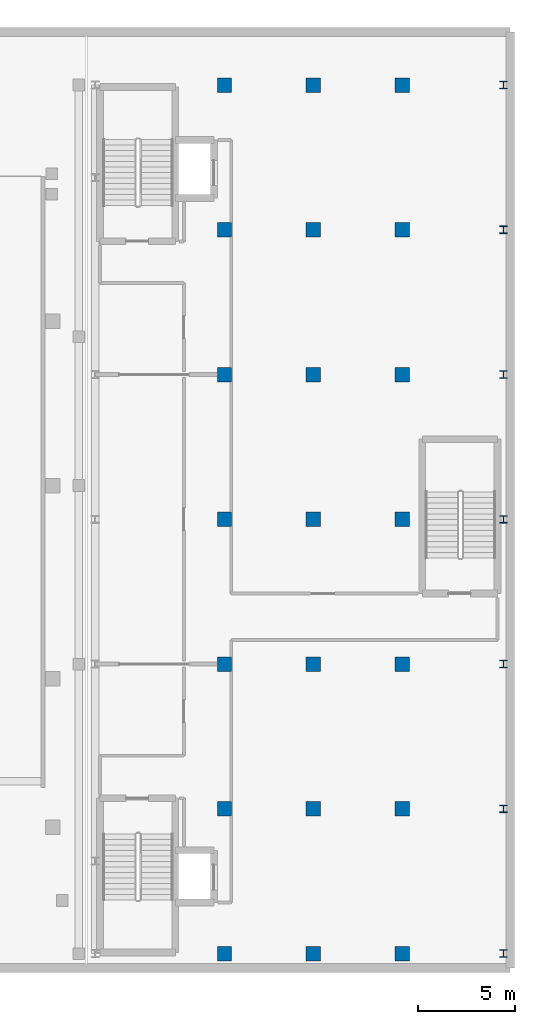
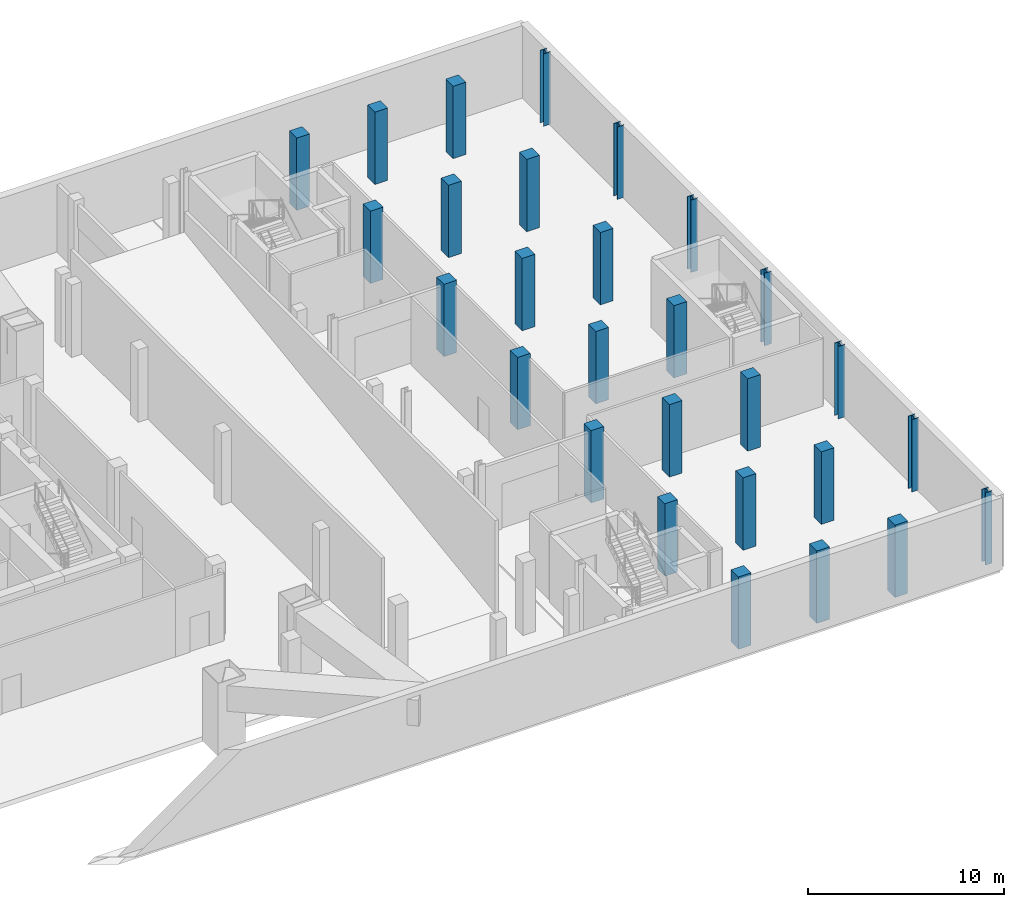
# One storey, part 3 of 14: 28 columns.
"""IFC4 building model written with IfcOpenShell, lengths in metres."""

from ifc_helpers import new_model, si_unit, direction, frame, origin, origin_2d, place, context, subcontext, project, spatial, rectangle, i_section, extrude, material, material_profile, profile_set, type_object, element, save


model = new_model("IFC4")

# Units and contexts
model_context = context("Model", 3, precision=1e-05, world=origin(), true_north=direction((0.0, 1.0)))
body_context = subcontext(model_context, "Body", "Model", "MODEL_VIEW")
ifc_project = project(units=[si_unit("LENGTHUNIT", "METRE"), si_unit("AREAUNIT", "SQUARE_METRE"), si_unit("VOLUMEUNIT", "CUBIC_METRE"), si_unit("PLANEANGLEUNIT", "RADIAN"), si_unit("MASSUNIT", "GRAM", prefix="KILO")], contexts=[model_context])

# Site, building, storey
site_placement = place(None, origin())
site = spatial("IfcSite", under=ifc_project, at=site_placement, CompositionType="ELEMENT")
building_placement = place(site_placement, origin())
building = spatial("IfcBuilding", under=site, at=building_placement, Name="Mersakhor Tower and Convention Hall", CompositionType="ELEMENT")
storey_placement = place(building_placement, frame((0.0, 0.0, -4.5)))
storey = spatial("IfcBuildingStorey", under=building, at=storey_placement, Name="B01", CompositionType="ELEMENT", Elevation=-4.5)

# Columns
ifc_material_1 = material(Name="Concrete C50/60", Category="concrete")
ifc_material_profile_1 = material_profile(ifc_material_1, rectangle(XDim=0.75, YDim=0.75, at=origin_2d()), Name="RC 750x750")
ifc_profile_set_1 = profile_set([ifc_material_profile_1], Name="Concrete C50/60")
column_type_1 = type_object("IfcColumnType", Name="COL-RC-750", PredefinedType="COLUMN", material=ifc_profile_set_1)
for number, where, z_axis, x_axis, name in (
    (1, (62.199951171875, 3.25, 0.0), (0.0, 0.0, 1.0), (1.0, 0.0, 0.0), "Convention B01 Interior Column CC-11"),
    (2, (62.199951171875, 10.75, 0.0), (0.0, 0.0, 1.0), (1.0, 0.0, 0.0), "Convention B01 Interior Column CC-12"),
    (3, (62.199951171875, 18.25, 0.0), (0.0, 0.0, 1.0), (1.0, 0.0, 0.0), "Convention B01 Interior Column CC-13"),
    (4, (62.199951171875, 25.75, 0.0), (0.0, 0.0, 1.0), (1.0, 0.0, 0.0), "Convention B01 Interior Column CC-14"),
    (5, (62.199951171875, 33.25, 0.0), (0.0, 0.0, 1.0), (1.0, 0.0, 0.0), "Convention B01 Interior Column CC-15"),
    (6, (62.199951171875, 40.75, 0.0), (0.0, 0.0, 1.0), (1.0, 0.0, 0.0), "Convention B01 Interior Column CC-16"),
    (7, (62.199951171875, 48.25, 0.0), (0.0, 0.0, 1.0), (1.0, 0.0, 0.0), "Convention B01 Interior Column CC-17"),
    (8, (66.800048828125, 3.25, 0.0), (0.0, 0.0, 1.0), (1.0, 0.0, 0.0), "Convention B01 Interior Column CC-21"),
    (9, (66.800048828125, 10.75, 0.0), (0.0, 0.0, 1.0), (1.0, 0.0, 0.0), "Convention B01 Interior Column CC-22"),
    (10, (66.800048828125, 18.25, 0.0), (0.0, 0.0, 1.0), (1.0, 0.0, 0.0), "Convention B01 Interior Column CC-23"),
    (11, (66.800048828125, 25.75, 0.0), (0.0, 0.0, 1.0), (1.0, 0.0, 0.0), "Convention B01 Interior Column CC-24"),
    (12, (66.800048828125, 33.25, 0.0), (0.0, 0.0, 1.0), (1.0, 0.0, 0.0), "Convention B01 Interior Column CC-25"),
    (13, (66.800048828125, 40.75, 0.0), (0.0, 0.0, 1.0), (1.0, 0.0, 0.0), "Convention B01 Interior Column CC-26"),
    (14, (66.800048828125, 48.25, 0.0), (0.0, 0.0, 1.0), (1.0, 0.0, 0.0), "Convention B01 Interior Column CC-27"),
    (15, (71.39990234375, 3.25, 0.0), (0.0, 0.0, 1.0), (1.0, 0.0, 0.0), "Convention B01 Interior Column CC-31"),
    (16, (71.39990234375, 10.75, 0.0), (0.0, 0.0, 1.0), (1.0, 0.0, 0.0), "Convention B01 Interior Column CC-32"),
    (17, (71.39990234375, 18.25, 0.0), (0.0, 0.0, 1.0), (1.0, 0.0, 0.0), "Convention B01 Interior Column CC-33"),
    (18, (71.39990234375, 25.75, 0.0), (0.0, 0.0, 1.0), (1.0, 0.0, 0.0), "Convention B01 Interior Column CC-34"),
    (19, (71.39990234375, 33.25, 0.0), (0.0, 0.0, 1.0), (1.0, 0.0, 0.0), "Convention B01 Interior Column CC-35"),
    (20, (71.39990234375, 40.75, 0.0), (0.0, 0.0, 1.0), (1.0, 0.0, 0.0), "Convention B01 Interior Column CC-36"),
    (21, (71.39990234375, 48.25, 0.0), (0.0, 0.0, 1.0), (1.0, 0.0, 0.0), "Convention B01 Interior Column CC-37"),
):
    element("IfcColumn", number, at=place(storey_placement, frame(where, z_axis=z_axis, x_axis=x_axis)), inside=storey, type_object=column_type_1, Name=name, PredefinedType="COLUMN", context=body_context, shape_type="SweptSolid", body=[
        extrude(rectangle(XDim=0.75, YDim=0.75, at=origin_2d()), origin(), (0.0, 0.0, 1.0), 4.5),
    ])
ifc_material_2 = material(Name="Steel S355", Category="steel")
ifc_material_profile_2 = material_profile(ifc_material_2, i_section(OverallWidth=0.39892578125, OverallDepth=0.3935546875, WebThickness=0.022705078125, FlangeThickness=0.03662109375, at=origin_2d()), Name="UC 356x406x287")
ifc_profile_set_2 = profile_set([ifc_material_profile_2], Name="Steel S355")
column_type_2 = type_object("IfcColumnType", Name="COL-STL-UC356", PredefinedType="COLUMN", material=ifc_profile_set_2)
for number, where, z_axis, x_axis, name in (
    (22, (76.64990234375, 3.25, 0.0), (0.0, 0.0, 1.0), (1.0, 0.0, 0.0), "Convention B01 Perimeter Column SC-E1"),
    (23, (76.64990234375, 10.75, 0.0), (0.0, 0.0, 1.0), (1.0, 0.0, 0.0), "Convention B01 Perimeter Column SC-E2"),
    (24, (76.64990234375, 18.25, 0.0), (0.0, 0.0, 1.0), (1.0, 0.0, 0.0), "Convention B01 Perimeter Column SC-E3"),
    (25, (76.64990234375, 25.75, 0.0), (0.0, 0.0, 1.0), (1.0, 0.0, 0.0), "Convention B01 Perimeter Column SC-E4"),
    (26, (76.64990234375, 33.25, 0.0), (0.0, 0.0, 1.0), (1.0, 0.0, 0.0), "Convention B01 Perimeter Column SC-E5"),
    (27, (76.64990234375, 40.75, 0.0), (0.0, 0.0, 1.0), (1.0, 0.0, 0.0), "Convention B01 Perimeter Column SC-E6"),
    (28, (76.64990234375, 48.25, 0.0), (0.0, 0.0, 1.0), (1.0, 0.0, 0.0), "Convention B01 Perimeter Column SC-E7"),
):
    element("IfcColumn", number, at=place(storey_placement, frame(where, z_axis=z_axis, x_axis=x_axis)), inside=storey, type_object=column_type_2, Name=name, PredefinedType="COLUMN", context=body_context, shape_type="SweptSolid", body=[
        extrude(i_section(OverallWidth=0.39892578125, OverallDepth=0.3935546875, WebThickness=0.022705078125, FlangeThickness=0.03662109375, at=origin_2d()), origin(), (0.0, 0.0, 1.0), 4.5),
    ])

save(model, "model.ifc")
